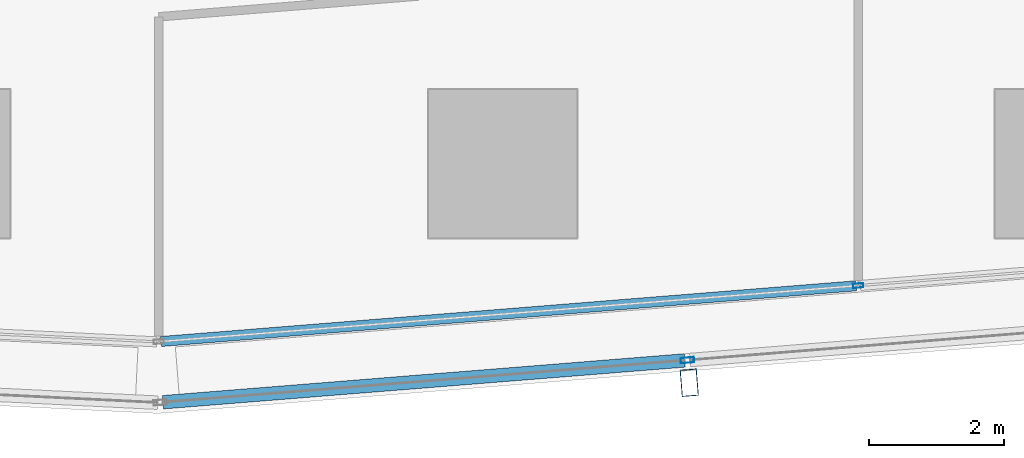
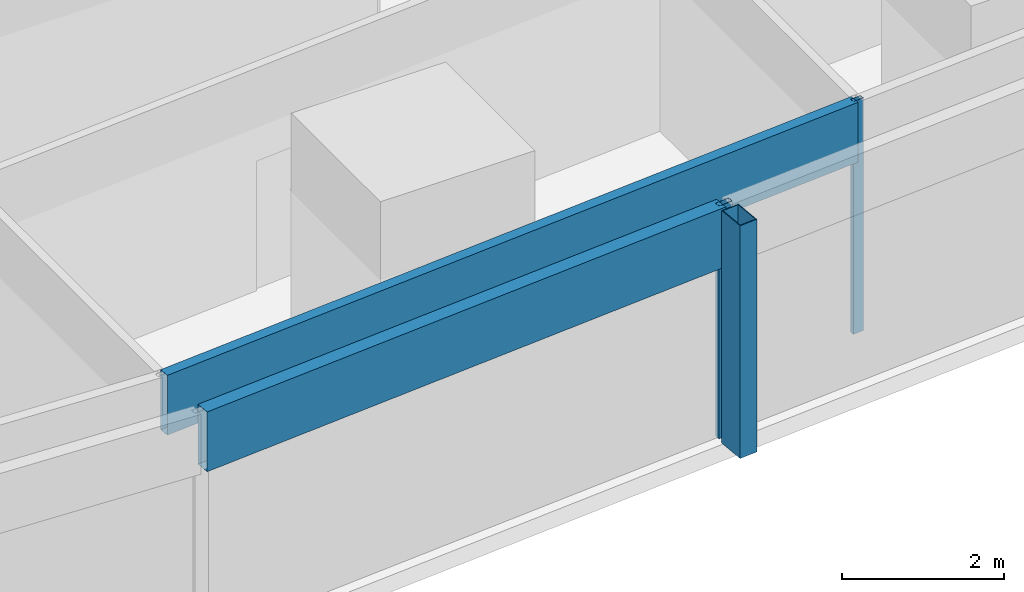
# One storey, part 8 of 42: 5 members, 2 elements without a shape of their own.
"""IFC4 building model written with IfcOpenShell, lengths in metres."""

import ifcopenshell
import ifcopenshell.guid

model = None  # the IFC model being written
_history = None  # IfcOwnerHistory: only IFC2X3 demands one
_inside = {}  # id of a spatial element -> (the spatial element, [elements in it])
_under = {}  # id of a project, library or spatial element -> (it, [spatial elements below it])
_declared = {}  # id of a project -> (the project, [libraries it declares])
_typed = {}  # id of a type object -> (the type object, [elements of that type])
_made_of = {}  # id of a material, layer set ... -> (it, [elements and type objects made of it])


def new_model(schema):
    """Start an empty IFC model of exactly this schema.

    Asked for "IFC4X3", IfcOpenShell would pick the latest addendum, in which some entities
    have other attributes; the version numbers below select the first issue.
    IFC2X3 requires an IfcOwnerHistory on every rooted entity: one is made here for all.
    """
    global model, _history
    if schema == "IFC4X3":
        model = ifcopenshell.file(schema_version=(4, 3, 0, 0))
    else:
        model = ifcopenshell.file(schema=schema)
    _inside.clear()
    _under.clear()
    _declared.clear()
    _typed.clear()
    _made_of.clear()
    _history = None
    if model.schema == "IFC2X3":
        org = make("IfcOrganization", Name="unknown")
        user = make(
            "IfcPersonAndOrganization",
            ThePerson=make("IfcPerson", FamilyName="unknown"),
            TheOrganization=org,
        )
        app = make(
            "IfcApplication",
            ApplicationDeveloper=org,
            Version="unknown",
            ApplicationFullName="unknown",
            ApplicationIdentifier="unknown",
        )
        _history = make(
            "IfcOwnerHistory",
            OwningUser=user,
            OwningApplication=app,
            ChangeAction="ADDED",
            CreationDate=0,
        )
    return model


def make(cls, **values):
    """One entity of the class cls with the attributes given. An attribute that is None is left unset."""
    return model.create_entity(
        cls, **{name: value for name, value in values.items() if value is not None}
    )


def rooted(cls, **values):
    """An entity with a GlobalId (a new one), such as an element, a storey or a relation."""
    return make(cls, GlobalId=ifcopenshell.guid.new(), OwnerHistory=_history, **values)


def si_unit(unit_type, name, prefix=None):
    """IfcSIUnit, for example si_unit("LENGTHUNIT", "METRE", prefix="MILLI")."""
    return make("IfcSIUnit", UnitType=unit_type, Prefix=prefix, Name=name)


def assignment(units):
    """IfcUnitAssignment: the units of a project."""
    return None if units is None else make("IfcUnitAssignment", Units=units)


def point(xyz):
    """IfcCartesianPoint."""
    return None if xyz is None else make("IfcCartesianPoint", Coordinates=xyz)


def direction(xyz):
    """IfcDirection."""
    return None if xyz is None else make("IfcDirection", DirectionRatios=xyz)


def frame(location, z_axis=None, x_axis=None):
    """IfcAxis2Placement3D, a coordinate frame: its origin and axes. An axis left out is left unset."""
    return make(
        "IfcAxis2Placement3D",
        Location=point(location),
        Axis=direction(z_axis),
        RefDirection=direction(x_axis),
    )


def frame_2d(location, x_axis=None):
    """IfcAxis2Placement2D, a coordinate frame in the plane: its origin and x axis."""
    return make(
        "IfcAxis2Placement2D", Location=point(location), RefDirection=direction(x_axis)
    )


def origin():
    """The frame at (0, 0, 0) with its axes left unset."""
    return frame((0.0, 0.0, 0.0))


def origin_2d():
    """The frame at (0, 0) in the plane with its x axis left unset."""
    return frame_2d((0.0, 0.0))


def place(relative_to, where):
    """IfcLocalPlacement: puts the frame where relative to a parent placement (None: the world)."""
    return make(
        "IfcLocalPlacement", PlacementRelTo=relative_to, RelativePlacement=where
    )


def context(
    kind, dimensions, precision=None, world=None, true_north=None, identifier=None
):
    """IfcGeometricRepresentationContext, for example the 3D "Model" context."""
    return make(
        "IfcGeometricRepresentationContext",
        ContextIdentifier=identifier,
        ContextType=kind,
        CoordinateSpaceDimension=dimensions,
        Precision=precision,
        WorldCoordinateSystem=world,
        TrueNorth=true_north,
    )


def subcontext(parent, identifier, kind, view, scale=None):
    """IfcGeometricRepresentationSubContext, for example "Body" below "Model"."""
    return make(
        "IfcGeometricRepresentationSubContext",
        ContextIdentifier=identifier,
        ContextType=kind,
        ParentContext=parent,
        TargetScale=scale,
        TargetView=view,
    )


def project(units=None, contexts=None):
    """IfcProject with its units and contexts."""
    return rooted(
        "IfcProject",
        Name="project",
        RepresentationContexts=contexts,
        UnitsInContext=assignment(units),
    )


def spatial(cls, under=None, at=None, **own):
    """A site, building, storey or space (cls), placed at a placement, below another one or the project."""
    s = rooted(cls, ObjectPlacement=at, **own)
    if under is not None:
        _under.setdefault(under.id(), (under, []))[1].append(s)
    return s


def profile(cls, at=None, kind="AREA", **sizes):
    """A parametric profile (cls). Its sizes go by their IFC names, for example OverallWidth=200.0."""
    return make(cls, ProfileType=kind, Position=at, **sizes)


def hollow_rectangle(**sizes):
    """IfcRectangleHollowProfileDef."""
    return profile("IfcRectangleHollowProfileDef", **sizes)


def extrude(swept, where, along, depth):
    """IfcExtrudedAreaSolid: the profile swept, set in the frame where, extruded along a direction by depth."""
    return make(
        "IfcExtrudedAreaSolid",
        SweptArea=swept,
        Position=where,
        ExtrudedDirection=direction(along),
        Depth=depth,
    )


def shape(context_of_items, identifier, shape_type, items):
    """IfcShapeRepresentation: the items that make up one representation, for example the "Body"."""
    return make(
        "IfcShapeRepresentation",
        ContextOfItems=context_of_items,
        RepresentationIdentifier=identifier,
        RepresentationType=shape_type,
        Items=items,
    )


def material(Name=None, Category=None):
    """IfcMaterial."""
    return make("IfcMaterial", Name=Name, Category=Category)


def material_profile(
    of_material, cross_section, Name=None, Category=None, Priority=None
):
    """IfcMaterialProfile: a cross section and its material."""
    return make(
        "IfcMaterialProfile",
        Name=Name,
        Material=of_material,
        Profile=cross_section,
        Priority=Priority,
        Category=Category,
    )


def profile_set(profiles, Name=None, composite=None):
    """IfcMaterialProfileSet."""
    return make(
        "IfcMaterialProfileSet",
        Name=Name,
        MaterialProfiles=profiles,
        CompositeProfile=composite,
    )


def made_of(thing, what):
    """Note that an element or type object is made of a material, layer set ...; save() writes the relation."""
    if what is not None:
        _made_of.setdefault(what.id(), (what, []))[1].append(thing)
    return thing


def type_object(cls, material=None, **own):
    """A type object (cls), such as IfcWallType, which elements share."""
    return made_of(rooted(cls, **own), material)


def element(
    cls,
    number,
    at=None,
    inside=None,
    cuts=None,
    type_object=None,
    material=None,
    context=None,
    identifier="Body",
    shape_type=None,
    held_by="IfcProductDefinitionShape",
    body=None,
    shapes=None,
    **own,
):
    """One element of the class cls, such as IfcWall. Its Tag is "e" and its number.

    at: its placement. inside: the storey or other place that contains it. cuts: it is an
    opening in that element (IfcRelVoidsElement). A single representation is given by context,
    identifier, shape_type and body (its items); several are given by shapes. held_by: the class
    of the entity that holds the representations. save() writes the other relations.
    """
    e = rooted(cls, Tag="e%d" % number, ObjectPlacement=at, **own)
    if body is not None:
        shapes = [shape(context, identifier, shape_type, body)]
    if shapes is not None:
        e.Representation = make(held_by, Representations=shapes)
    if inside is not None:
        _inside.setdefault(inside.id(), (inside, []))[1].append(e)
    if cuts is not None:
        rooted(
            "IfcRelVoidsElement", RelatingBuildingElement=cuts, RelatedOpeningElement=e
        )
    if type_object is not None:
        _typed.setdefault(type_object.id(), (type_object, []))[1].append(e)
    return made_of(e, material)


def aggregate(whole, parts):
    """IfcRelAggregates: a whole, such as a stair, and the parts it consists of."""
    return rooted("IfcRelAggregates", RelatingObject=whole, RelatedObjects=parts)


def save(model, path):
    """Write the relations noted so far, then the file.

    IfcRelAggregates (storeys below a building ...), IfcRelContainedInSpatialStructure (elements
    in a storey), IfcRelDefinesByType, IfcRelAssociatesMaterial and IfcRelDeclares: one each for
    every whole, place, type object, material and project.
    """
    for whole, parts in _under.values():
        aggregate(whole, parts)
    for where, things in _inside.values():
        rooted(
            "IfcRelContainedInSpatialStructure",
            RelatedElements=things,
            RelatingStructure=where,
        )
    for kind, things in _typed.values():
        rooted("IfcRelDefinesByType", RelatedObjects=things, RelatingType=kind)
    for what, things in _made_of.values():
        rooted("IfcRelAssociatesMaterial", RelatedObjects=things, RelatingMaterial=what)
    for by, libraries in _declared.values():
        rooted("IfcRelDeclares", RelatingContext=by, RelatedDefinitions=libraries)
    model.write(path)


model = new_model("IFC4")

# Units and contexts
model_context = context("Model", 3, precision=1e-05, world=origin(), true_north=direction((0.0, 1.0)))
body_context = subcontext(model_context, "Body", "Model", "MODEL_VIEW")
ifc_project = project(units=[si_unit("LENGTHUNIT", "METRE"), si_unit("AREAUNIT", "SQUARE_METRE"), si_unit("VOLUMEUNIT", "CUBIC_METRE"), si_unit("PLANEANGLEUNIT", "RADIAN"), si_unit("MASSUNIT", "GRAM", prefix="KILO")], contexts=[model_context])

# Site, building, storey
site_placement = place(None, origin())
site = spatial("IfcSite", under=ifc_project, at=site_placement, CompositionType="ELEMENT")
building_placement = place(site_placement, origin())
building = spatial("IfcBuilding", under=site, at=building_placement, Name="Rekha Terrace Tower", CompositionType="ELEMENT")
storey_placement = place(building_placement, frame((0.0, 0.0, 55.39990234375)))
storey = spatial("IfcBuildingStorey", under=building, at=storey_placement, Name="L13", CompositionType="ELEMENT", Elevation=55.39990234375)

# Curtain wall, member
ifc_material_1 = material(Name="Aluminium framing", Category="aluminium")
curtain_wall_type_1 = type_object("IfcCurtainWallType", Name="CW2 double skin outer glazing", PredefinedType="USERDEFINED", material=ifc_material_1)
curtain_wall_1_placement = place(storey_placement, origin())
curtain_wall_1 = element("IfcCurtainWall", 1, at=curtain_wall_1_placement, inside=storey, type_object=curtain_wall_type_1, Name="CW2 double skin outer glazing", ObjectType="DOUBLE SKIN OUTER GLAZING", PredefinedType="USERDEFINED")
ifc_material_2 = material(Name="Steel S355 with fluorocarbon finish", Category="steel")
ifc_material_profile_1 = material_profile(ifc_material_2, hollow_rectangle(XDim=0.25, YDim=0.39990234375, WallThickness=0.012451171875, at=origin_2d()), Name="RHS400x250x12.5")
ifc_profile_set_1 = profile_set([ifc_material_profile_1], Name="Steel S355 with fluorocarbon finish")
member_type_1 = type_object("IfcMemberType", Name="BL1 facade blade RHS 400 x 250", PredefinedType="USERDEFINED", material=ifc_profile_set_1)
member_1_placement = place(storey_placement, frame((53.16748046875, 5.15576171875, 0.0), z_axis=(0.0, 0.0, 1.0), x_axis=(0.996805139821, 0.079871855039, 0.0)))
member_1 = element("IfcMember", 2, at=member_1_placement, type_object=member_type_1, Name="Facade blade", ObjectType="FACADE BLADE", PredefinedType="USERDEFINED", context=body_context, shape_type="SweptSolid", body=[
    extrude(hollow_rectangle(XDim=0.25, YDim=0.39990234375, WallThickness=0.012451171875, at=origin_2d()), origin(), (0.0, 0.0, 1.0), 3.5),
])

# Curtain wall, members
curtain_wall_type_2 = type_object("IfcCurtainWallType", Name="CW1 double skin inner glazing", PredefinedType="USERDEFINED", material=ifc_material_1)
curtain_wall_2_placement = place(storey_placement, origin())
curtain_wall_2 = element("IfcCurtainWall", 3, at=curtain_wall_2_placement, inside=storey, type_object=curtain_wall_type_2, Name="CW1 double skin inner glazing", ObjectType="DOUBLE SKIN INNER GLAZING", PredefinedType="USERDEFINED")
ifc_material_3 = material(Name="Aluminium mullion section", Category="aluminium")
ifc_material_profile_2 = material_profile(ifc_material_3, hollow_rectangle(XDim=0.06494140625, YDim=0.14990234375, WallThickness=0.00390625, at=origin_2d()), Name="AL RHS 65x150")
ifc_profile_set_2 = profile_set([ifc_material_profile_2], Name="Aluminium mullion section")
member_type_2 = type_object("IfcMemberType", Name="CW1 mullion RHS 65 x 150", PredefinedType="MULLION", material=ifc_profile_set_2)
member_2_placement = place(storey_placement, frame((55.672119140625, 6.595458984375, 0.0), z_axis=(0.0, 0.0, 1.0), x_axis=(-0.079872204468, 0.996805111821, 0.0)))
member_2 = element("IfcMember", 4, at=member_2_placement, type_object=member_type_2, Name="CW1 mullion 2", PredefinedType="MULLION", context=body_context, shape_type="SweptSolid", body=[
    extrude(hollow_rectangle(XDim=0.06494140625, YDim=0.14990234375, WallThickness=0.00390625, at=origin_2d()), origin(), (0.0, 0.0, 1.0), 3.5),
])
ifc_material_4 = material(Name="Insulated aluminium spandrel box", Category="aluminium")
ifc_material_profile_3 = material_profile(ifc_material_4, hollow_rectangle(XDim=0.14990234375, YDim=0.89990234375, WallThickness=0.0029296875, at=origin_2d()), Name="AL SPANDREL BOX 150x900")
ifc_profile_set_3 = profile_set([ifc_material_profile_3], Name="Insulated aluminium spandrel box")
member_type_3 = type_object("IfcMemberType", Name="CW1 spandrel transom 150 x 900", PredefinedType="USERDEFINED", material=ifc_profile_set_3)
member_3_placement = place(storey_placement, frame((45.33642578125, 5.767333984375, 3.050048828125), z_axis=(0.996806184606, 0.079858814989, 0.0), x_axis=(-0.079858814989, 0.996806184606, 0.0)))
member_3 = element("IfcMember", 5, at=member_3_placement, type_object=member_type_3, Name="CW1 spandrel transom 1", ObjectType="TRANSOM", PredefinedType="USERDEFINED", context=body_context, shape_type="SweptSolid", body=[
    extrude(hollow_rectangle(XDim=0.14990234375, YDim=0.89990234375, WallThickness=0.0029296875, at=origin_2d()), origin(), (0.0, 0.0, 1.0), 10.336181640625),
])
aggregate(curtain_wall_2, [member_2, member_3])

# Member
ifc_material_profile_4 = material_profile(ifc_material_3, hollow_rectangle(XDim=0.080078125, YDim=0.199951171875, WallThickness=0.00390625, at=origin_2d()), Name="AL RHS 80x200")
ifc_profile_set_4 = profile_set([ifc_material_profile_4], Name="Aluminium mullion section")
member_type_4 = type_object("IfcMemberType", Name="CW2 mullion RHS 80 x 200", PredefinedType="MULLION", material=ifc_profile_set_4)
member_4_placement = place(storey_placement, frame((53.140869140625, 5.48974609375, 0.0), z_axis=(0.0, 0.0, 1.0), x_axis=(-0.079872204468, 0.996805111821, 0.0)))
member_4 = element("IfcMember", 6, at=member_4_placement, type_object=member_type_4, Name="CW2 mullion 2", PredefinedType="MULLION", context=body_context, shape_type="SweptSolid", body=[
    extrude(hollow_rectangle(XDim=0.080078125, YDim=0.199951171875, WallThickness=0.00390625, at=origin_2d()), origin(), (0.0, 0.0, 1.0), 3.5),
])

ifc_material_profile_5 = material_profile(ifc_material_4, hollow_rectangle(XDim=0.199951171875, YDim=0.89990234375, WallThickness=0.0029296875, at=origin_2d()), Name="AL SPANDREL BOX 200x900")
ifc_profile_set_5 = profile_set([ifc_material_profile_5], Name="Insulated aluminium spandrel box")
member_type_5 = type_object("IfcMemberType", Name="CW2 spandrel transom 200 x 900", PredefinedType="USERDEFINED", material=ifc_profile_set_5)
member_5_placement = place(storey_placement, frame((45.365234375, 4.86669921875, 3.050048828125), z_axis=(0.996804766607, 0.079876512622, 0.0), x_axis=(-0.079876512622, 0.996804766607, 0.0)))
member_5 = element("IfcMember", 7, at=member_5_placement, type_object=member_type_5, Name="CW2 spandrel transom 1", ObjectType="TRANSOM", PredefinedType="USERDEFINED", context=body_context, shape_type="SweptSolid", body=[
    extrude(hollow_rectangle(XDim=0.199951171875, YDim=0.89990234375, WallThickness=0.0029296875, at=origin_2d()), origin(), (0.0, 0.0, 1.0), 7.760498046875),
])

aggregate(curtain_wall_1, [member_4, member_5, member_1])

save(model, "model.ifc")
